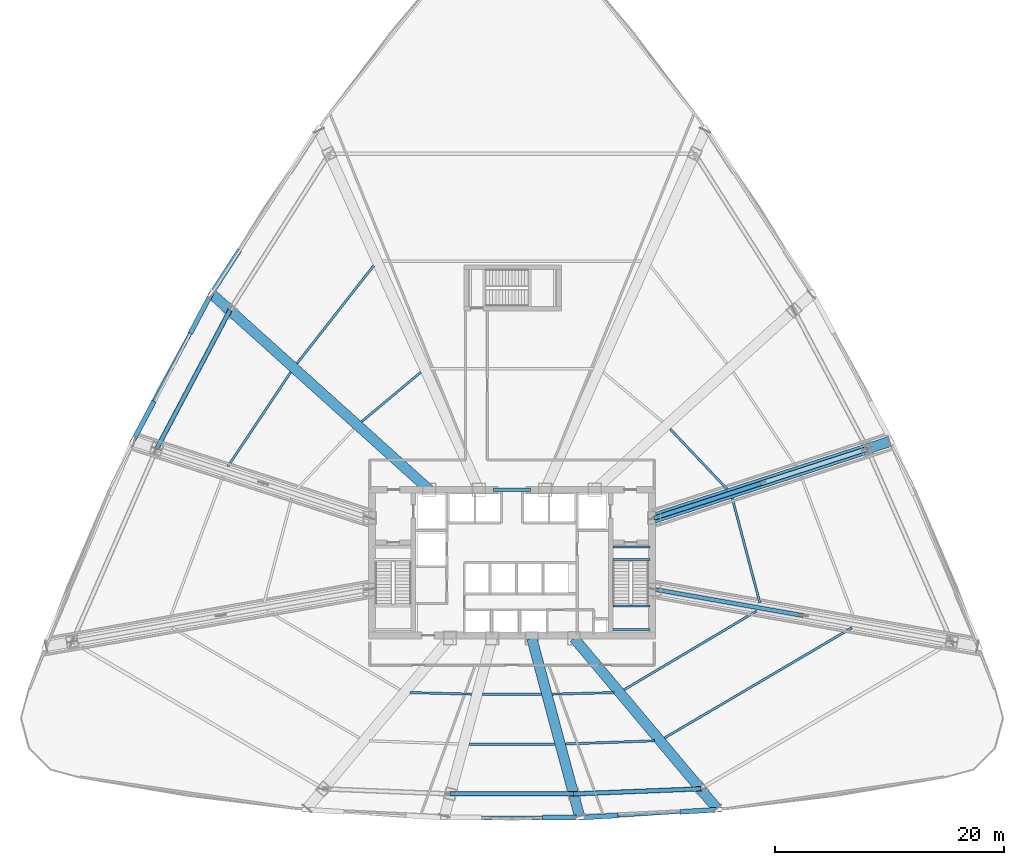
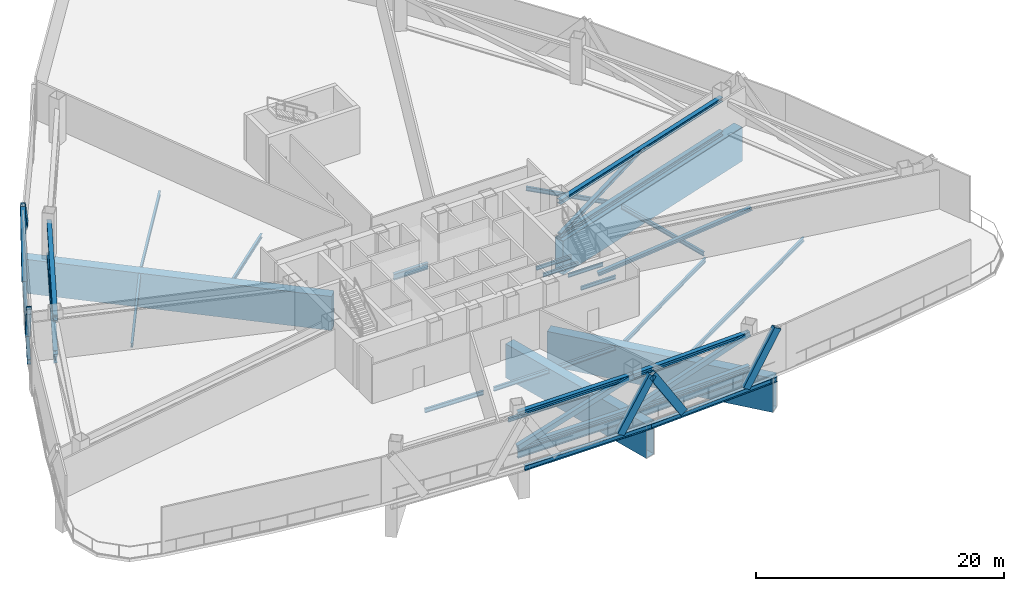
# One storey, part 2 of 17: 27 beams, 19 members.
"""IFC4 building model written with IfcOpenShell, lengths in metres."""

from ifc_helpers import new_model, si_unit, direction, frame, origin, origin_2d, place, context, subcontext, project, spatial, hollow_rectangle, i_section, extrude, source, transform, mapped, material, material_profile, profile_set, type_object, element, save


model = new_model("IFC4")

# Units and contexts
model_context = context("Model", 3, precision=1e-05, world=origin(), true_north=direction((0.0, 1.0)))
body_context = subcontext(model_context, "Body", "Model", "MODEL_VIEW")
ifc_project = project(units=[si_unit("LENGTHUNIT", "METRE"), si_unit("AREAUNIT", "SQUARE_METRE"), si_unit("VOLUMEUNIT", "CUBIC_METRE"), si_unit("PLANEANGLEUNIT", "RADIAN"), si_unit("MASSUNIT", "GRAM", prefix="KILO"), si_unit("THERMODYNAMICTEMPERATUREUNIT", "KELVIN"), si_unit("POWERUNIT", "WATT")], contexts=[model_context])

# Site, building, storey
site_placement = place(None, origin())
site = spatial("IfcSite", under=ifc_project, at=site_placement, CompositionType="ELEMENT")
building_placement = place(site_placement, origin())
building = spatial("IfcBuilding", under=site, at=building_placement, Name="Yunzhuo Pagoda Commons", CompositionType="ELEMENT")
storey_placement = place(building_placement, frame((0.0, 0.0, 76.3798828125)))
storey = spatial("IfcBuildingStorey", under=building, at=storey_placement, Name="L19", CompositionType="ELEMENT", Elevation=76.3798828125)

# Beams
ifc_material_1 = material(Name="Structural steel Q355B", Category="steel")
ifc_material_profile_1 = material_profile(ifc_material_1, i_section(OverallWidth=0.175048828125, OverallDepth=0.35009765625, WebThickness=0.007080078125, FlangeThickness=0.010986328125, at=origin_2d()), Name="Structural steel Q355B")
ifc_profile_set_1 = profile_set([ifc_material_profile_1], Name="Structural steel Q355B")
beam_type_1 = type_object("IfcBeamType", Name="B-JS2 Joist HN 350x175x7x11", PredefinedType="JOIST", material=ifc_profile_set_1)
shared_shape_1 = source(origin(), body_context, "Body", "SweptSolid", [
    extrude(i_section(OverallWidth=0.175048828125, OverallDepth=0.35009765625, WebThickness=0.007080078125, FlangeThickness=0.010986328125, at=origin_2d()), origin(), (0.0, 0.0, 1.0), 3.25),
])
for number, where, z_axis, x_axis, name in (
    (1, (56.800048828125, 28.0, 2.025146484375), (1.0, 0.0, 0.0), (0.0, 1.0, 0.0), "L19 ST2 landing support beam 25A"),
    (2, (56.800048828125, 30.06005859375, 2.025146484375), (1.0, 0.0, 0.0), (0.0, 1.0, 0.0), "L19 ST2 landing support beam 25B"),
    (3, (56.800048828125, 34.10009765625, -0.375), (1.0, 0.0, 0.0), (0.0, 1.0, 0.0), "L19 ST2 landing support beam 123A"),
    (4, (56.800048828125, 35.199951171875, -0.375), (1.0, 0.0, 0.0), (0.0, 1.0, 0.0), "L19 ST2 landing support beam 123B"),
):
    element("IfcBeam", number, at=place(storey_placement, frame(where, z_axis=z_axis, x_axis=x_axis)), inside=storey, type_object=beam_type_1, Name=name, PredefinedType="JOIST", context=body_context, shape_type="MappedRepresentation", body=[
        mapped(shared_shape_1, transform((0.0, 0.0, 0.0), scale=1.0)),
    ])
ifc_material_2 = material(Name="Structural steel Q420B", Category="steel")
ifc_material_profile_2 = material_profile(ifc_material_2, i_section(OverallWidth=0.300048828125, OverallDepth=0.587890625, WebThickness=0.011962890625, FlangeThickness=0.02001953125, at=origin_2d()), Name="Structural steel Q420B")
ifc_profile_set_2 = profile_set([ifc_material_profile_2], Name="Structural steel Q420B")
beam_type_2 = type_object("IfcBeamType", Name="B-CPL Beam HM 588x300x12x20", PredefinedType="BEAM", material=ifc_profile_set_2)
shared_shape_2 = source(origin(), body_context, "Body", "SweptSolid", [
    extrude(i_section(OverallWidth=0.300048828125, OverallDepth=0.587890625, WebThickness=0.011962890625, FlangeThickness=0.02001953125, at=origin_2d()), origin(), (0.0, 0.0, 1.0), 3.2001953125),
])
beam_1_placement = place(storey_placement, frame((46.39990234375, 40.199951171875, -0.573974609375), z_axis=(1.0, 0.0, 0.0), x_axis=(0.0, 1.0, 0.0)))
element("IfcBeam", 5, at=beam_1_placement, inside=storey, type_object=beam_type_2, Name="L19 core coupling girder", PredefinedType="BEAM", context=body_context, shape_type="MappedRepresentation", body=[
    mapped(shared_shape_2, transform((0.0, 0.0, 0.0), scale=1.0)),
])
ifc_material_profile_3 = material_profile(ifc_material_2, hollow_rectangle(XDim=0.89990234375, YDim=3.35009765625, WallThickness=0.048095703125, at=origin_2d()), Name="Structural steel Q420B")
ifc_profile_set_3 = profile_set([ifc_material_profile_3], Name="Structural steel Q420B")
beam_type_3 = type_object("IfcBeamType", Name="BTR-2 Beam BOX 3350x900x48", PredefinedType="BEAM", material=ifc_profile_set_3)
shared_shape_3 = source(origin(), body_context, "Body", "SweptSolid", [
    extrude(hollow_rectangle(XDim=0.89990234375, YDim=3.35009765625, WallThickness=0.048095703125, at=origin_2d()), origin(), (0.0, 0.0, 1.0), 19.369140625),
])
beam_2_placement = place(storey_placement, frame((65.862548828125, 12.41259765625, -1.954833984375), z_axis=(-0.642799141194, 0.766034766887, 0.0), x_axis=(-0.766034766887, -0.642799141194, 0.0)))
element("IfcBeam", 6, at=beam_2_placement, inside=storey, type_object=beam_type_3, Name="BTR-2 L19 collinear transfer girder F1C4", PredefinedType="BEAM", context=body_context, shape_type="MappedRepresentation", body=[
    mapped(shared_shape_3, transform((0.0, 0.0, 0.0), scale=1.0)),
])
shared_shape_4 = source(origin(), body_context, "Body", "SweptSolid", [
    extrude(hollow_rectangle(XDim=0.89990234375, YDim=3.35009765625, WallThickness=0.048095703125, at=origin_2d()), origin(), (0.0, 0.0, 1.0), 16.0458984375),
])
beam_3_placement = place(storey_placement, frame((53.88134765625, 11.750732421875, -1.954833984375), z_axis=(-0.258808334578, 0.965928696102, 0.0), x_axis=(-0.965928696102, -0.258808334578, 0.0)))
element("IfcBeam", 7, at=beam_3_placement, inside=storey, type_object=beam_type_3, Name="BTR-2 L19 collinear transfer girder F1C3", PredefinedType="BEAM", context=body_context, shape_type="MappedRepresentation", body=[
    mapped(shared_shape_4, transform((0.0, 0.0, 0.0), scale=1.0)),
])
shared_shape_5 = source(origin(), body_context, "Body", "SweptSolid", [
    extrude(hollow_rectangle(XDim=0.89990234375, YDim=3.35009765625, WallThickness=0.048095703125, at=origin_2d()), origin(), (0.0, 0.0, 1.0), 21.57373046875),
])
beam_4_placement = place(storey_placement, frame((80.917724609375, 44.3955078125, -1.954833984375), z_axis=(-0.951058432611, -0.309011096499, 0.0), x_axis=(0.309011096499, -0.951058432611, 0.0)))
element("IfcBeam", 8, at=beam_4_placement, inside=storey, type_object=beam_type_3, Name="BTR-2 L19 collinear transfer girder F2C2", PredefinedType="BEAM", context=body_context, shape_type="MappedRepresentation", body=[
    mapped(shared_shape_5, transform((0.0, 0.0, 0.0), scale=1.0)),
])
shared_shape_6 = source(origin(), body_context, "Body", "SweptSolid", [
    extrude(hollow_rectangle(XDim=0.89990234375, YDim=3.35009765625, WallThickness=0.048095703125, at=origin_2d()), origin(), (0.0, 0.0, 1.0), 25.4130859375),
])
beam_5_placement = place(storey_placement, frame((21.8955078125, 57.20458984375, -1.954833984375), z_axis=(0.743143654342, -0.669131907034, 0.0), x_axis=(0.669131907034, 0.743143654342, 0.0)))
element("IfcBeam", 9, at=beam_5_placement, inside=storey, type_object=beam_type_3, Name="BTR-2 L19 collinear transfer girder F3C2", PredefinedType="BEAM", context=body_context, shape_type="MappedRepresentation", body=[
    mapped(shared_shape_6, transform((0.0, 0.0, 0.0), scale=1.0)),
])
ifc_material_profile_4 = material_profile(ifc_material_1, i_section(OverallWidth=0.300048828125, OverallDepth=0.488037109375, WebThickness=0.010986328125, FlangeThickness=0.01806640625, at=origin_2d()), Name="Structural steel Q355B")
ifc_profile_set_4 = profile_set([ifc_material_profile_4], Name="Structural steel Q355B")
beam_type_4 = type_object("IfcBeamType", Name="B-SP1 Beam HM 488x300x11x18", PredefinedType="BEAM", material=ifc_profile_set_4)
shared_shape_7 = source(origin(), body_context, "Body", "SweptSolid", [
    extrude(i_section(OverallWidth=0.300048828125, OverallDepth=0.488037109375, WebThickness=0.010986328125, FlangeThickness=0.01806640625, at=origin_2d()), origin(), (0.0, 0.0, 1.0), 12.060791015625),
])
beam_6_placement = place(storey_placement, frame((53.92138671875, 11.60107421875, -0.52392578125), z_axis=(0.99834961986, 0.057428534065, 0.0), x_axis=(-0.057428534065, 0.99834961986, 0.0)))
element("IfcBeam", 10, at=beam_6_placement, inside=storey, type_object=beam_type_4, Name="L19 facade edge spandrel beam F1.3", PredefinedType="BEAM", context=body_context, shape_type="MappedRepresentation", body=[
    mapped(shared_shape_7, transform((0.0, 0.0, 0.0), scale=1.0)),
])
shared_shape_8 = source(origin(), body_context, "Body", "SweptSolid", [
    extrude(i_section(OverallWidth=0.300048828125, OverallDepth=0.488037109375, WebThickness=0.010986328125, FlangeThickness=0.01806640625, at=origin_2d()), origin(), (0.0, 0.0, 1.0), 11.8427734375),
])
beam_7_placement = place(storey_placement, frame((42.07861328125, 11.60107421875, -0.52392578125), z_axis=(1.0, 0.0, 0.0), x_axis=(0.0, 1.0, 0.0)))
element("IfcBeam", 11, at=beam_7_placement, inside=storey, type_object=beam_type_4, Name="L19 facade edge spandrel beam F1.2", PredefinedType="BEAM", context=body_context, shape_type="MappedRepresentation", body=[
    mapped(shared_shape_8, transform((0.0, 0.0, 0.0), scale=1.0)),
])
shared_shape_9 = source(origin(), body_context, "Body", "SweptSolid", [
    extrude(i_section(OverallWidth=0.300048828125, OverallDepth=0.488037109375, WebThickness=0.010986328125, FlangeThickness=0.01806640625, at=origin_2d()), origin(), (0.0, 0.0, 1.0), 14.572265625),
])
beam_8_placement = place(storey_placement, frame((21.7802734375, 57.308349609375, -0.52392578125), z_axis=(-0.46974105662, -0.882804247682, 0.0), x_axis=(0.882804247682, -0.46974105662, 0.0)))
element("IfcBeam", 12, at=beam_8_placement, inside=storey, type_object=beam_type_4, Name="L19 facade edge spandrel beam F3.2", PredefinedType="BEAM", context=body_context, shape_type="MappedRepresentation", body=[
    mapped(shared_shape_9, transform((0.0, 0.0, 0.0), scale=1.0)),
])
ifc_material_profile_5 = material_profile(ifc_material_1, i_section(OverallWidth=0.300048828125, OverallDepth=0.699951171875, WebThickness=0.012939453125, FlangeThickness=0.02392578125, at=origin_2d()), Name="Structural steel Q355B")
ifc_profile_set_5 = profile_set([ifc_material_profile_5], Name="Structural steel Q355B")
beam_type_5 = type_object("IfcBeamType", Name="B-RG1 Beam HN 700x300x13x24", PredefinedType="BEAM", material=ifc_profile_set_5)
shared_shape_10 = source(origin(), body_context, "Body", "SweptSolid", [
    extrude(i_section(OverallWidth=0.300048828125, OverallDepth=0.699951171875, WebThickness=0.012939453125, FlangeThickness=0.02392578125, at=origin_2d()), origin(), (0.0, 0.0, 1.0), 11.077392578125),
])
beam_9_placement = place(storey_placement, frame((53.367431640625, 13.66845703125, -0.6298828125), z_axis=(0.999196975427, 0.040067496776, 0.0), x_axis=(-0.040067496776, 0.999196975427, 0.0)))
element("IfcBeam", 13, at=beam_9_placement, inside=storey, type_object=beam_type_5, Name="L19 column-ring beam 3", PredefinedType="BEAM", context=body_context, shape_type="MappedRepresentation", body=[
    mapped(shared_shape_10, transform((0.0, 0.0, 0.0), scale=1.0)),
])
ifc_material_profile_6 = material_profile(ifc_material_1, i_section(OverallWidth=0.199951171875, OverallDepth=0.39990234375, WebThickness=0.008056640625, FlangeThickness=0.012939453125, at=origin_2d()), Name="Structural steel Q355B")
ifc_profile_set_6 = profile_set([ifc_material_profile_6], Name="Structural steel Q355B")
beam_type_6 = type_object("IfcBeamType", Name="B-JS1 Joist HN 400x200x8x13", PredefinedType="JOIST", material=ifc_profile_set_6)
shared_shape_11 = source(origin(), body_context, "Body", "SweptSolid", [
    extrude(i_section(OverallWidth=0.199951171875, OverallDepth=0.39990234375, WebThickness=0.008056640625, FlangeThickness=0.012939453125, at=origin_2d()), origin(), (0.0, 0.0, 1.0), 5.390625),
])
for number, where, z_axis, x_axis, name in (
    (14, (39.095947265625, 22.50830078125, -0.47998046875), (0.999682904373, -0.025181157742, 0.0), (0.025181157742, 0.999682904373, 0.0), "L19 composite ring joist 1.1"),
    (15, (51.51513671875, 22.37255859375, -0.47998046875), (0.999682904373, 0.025181157742, 0.0), (-0.025181157742, 0.999682904373, 0.0), "L19 composite ring joist 1.3"),
):
    element("IfcBeam", number, at=place(storey_placement, frame(where, z_axis=z_axis, x_axis=x_axis)), inside=storey, type_object=beam_type_6, Name=name, PredefinedType="JOIST", context=body_context, shape_type="MappedRepresentation", body=[
        mapped(shared_shape_11, transform((0.0, 0.0, 0.0), scale=1.0)),
    ])
shared_shape_12 = source(origin(), body_context, "Body", "SweptSolid", [
    extrude(i_section(OverallWidth=0.300048828125, OverallDepth=0.699951171875, WebThickness=0.012939453125, FlangeThickness=0.02392578125, at=origin_2d()), origin(), (0.0, 0.0, 1.0), 10.73486328125),
])
beam_10_placement = place(storey_placement, frame((42.632568359375, 13.66845703125, -0.6298828125), z_axis=(1.0, 0.0, 0.0), x_axis=(0.0, 1.0, 0.0)))
element("IfcBeam", 16, at=beam_10_placement, inside=storey, type_object=beam_type_5, Name="L19 column-ring beam 2", PredefinedType="BEAM", context=body_context, shape_type="MappedRepresentation", body=[
    mapped(shared_shape_12, transform((0.0, 0.0, 0.0), scale=1.0)),
])
shared_shape_13 = source(origin(), body_context, "Body", "SweptSolid", [
    extrude(i_section(OverallWidth=0.199951171875, OverallDepth=0.39990234375, WebThickness=0.008056640625, FlangeThickness=0.012939453125, at=origin_2d()), origin(), (0.0, 0.0, 1.0), 5.12255859375),
])
beam_11_placement = place(storey_placement, frame((45.438720703125, 22.360595703125, -0.47998046875), z_axis=(1.0, 0.0, 0.0), x_axis=(0.0, 1.0, 0.0)))
element("IfcBeam", 17, at=beam_11_placement, inside=storey, type_object=beam_type_6, Name="L19 composite ring joist 1.2", PredefinedType="JOIST", context=body_context, shape_type="MappedRepresentation", body=[
    mapped(shared_shape_13, transform((0.0, 0.0, 0.0), scale=1.0)),
])
shared_shape_14 = source(origin(), body_context, "Body", "SweptSolid", [
    extrude(i_section(OverallWidth=0.199951171875, OverallDepth=0.39990234375, WebThickness=0.008056640625, FlangeThickness=0.012939453125, at=origin_2d()), origin(), (0.0, 0.0, 1.0), 7.45166015625),
])
beam_12_placement = place(storey_placement, frame((44.274169921875, 18.014404296875, -0.47998046875), z_axis=(1.0, 0.0, 0.0), x_axis=(0.0, 1.0, 0.0)))
element("IfcBeam", 18, at=beam_12_placement, inside=storey, type_object=beam_type_6, Name="L19 composite ring joist 2.2", PredefinedType="JOIST", context=body_context, shape_type="MappedRepresentation", body=[
    mapped(shared_shape_14, transform((0.0, 0.0, 0.0), scale=1.0)),
])
shared_shape_15 = source(origin(), body_context, "Body", "SweptSolid", [
    extrude(i_section(OverallWidth=0.199951171875, OverallDepth=0.39990234375, WebThickness=0.008056640625, FlangeThickness=0.012939453125, at=origin_2d()), origin(), (0.0, 0.0, 1.0), 7.75634765625),
])
beam_13_placement = place(storey_placement, frame((52.679931640625, 18.031005859375, -0.47998046875), z_axis=(0.99939932662, 0.0346552442, 0.0), x_axis=(-0.0346552442, 0.99939932662, 0.0)))
element("IfcBeam", 19, at=beam_13_placement, inside=storey, type_object=beam_type_6, Name="L19 composite ring joist 2.3", PredefinedType="JOIST", context=body_context, shape_type="MappedRepresentation", body=[
    mapped(shared_shape_15, transform((0.0, 0.0, 0.0), scale=1.0)),
])
shared_shape_16 = source(origin(), body_context, "Body", "SweptSolid", [
    extrude(i_section(OverallWidth=0.199951171875, OverallDepth=0.39990234375, WebThickness=0.008056640625, FlangeThickness=0.012939453125, at=origin_2d()), origin(), (0.0, 0.0, 1.0), 13.426025390625),
])
beam_14_placement = place(storey_placement, frame((57.791015625, 22.76416015625, -0.47998046875), z_axis=(0.859680071929, 0.510832823856, 0.0), x_axis=(-0.510832823856, 0.859680071929, 0.0)))
element("IfcBeam", 20, at=beam_14_placement, inside=storey, type_object=beam_type_6, Name="L19 composite ring joist 1.4", PredefinedType="JOIST", context=body_context, shape_type="MappedRepresentation", body=[
    mapped(shared_shape_16, transform((0.0, 0.0, 0.0), scale=1.0)),
])
shared_shape_17 = source(origin(), body_context, "Body", "SweptSolid", [
    extrude(i_section(OverallWidth=0.199951171875, OverallDepth=0.39990234375, WebThickness=0.008056640625, FlangeThickness=0.012939453125, at=origin_2d()), origin(), (0.0, 0.0, 1.0), 18.932373046875),
])
beam_15_placement = place(storey_placement, frame((61.319580078125, 18.558349609375, -0.47998046875), z_axis=(0.861859286872, 0.507147483117, 0.0), x_axis=(-0.507147483117, 0.861859286872, 0.0)))
element("IfcBeam", 21, at=beam_15_placement, inside=storey, type_object=beam_type_6, Name="L19 composite ring joist 2.4", PredefinedType="JOIST", context=body_context, shape_type="MappedRepresentation", body=[
    mapped(shared_shape_17, transform((0.0, 0.0, 0.0), scale=1.0)),
])
shared_shape_18 = source(origin(), body_context, "Body", "SweptSolid", [
    extrude(i_section(OverallWidth=0.199951171875, OverallDepth=0.39990234375, WebThickness=0.008056640625, FlangeThickness=0.012939453125, at=origin_2d()), origin(), (0.0, 0.0, 1.0), 9.42724609375),
])
beam_16_placement = place(storey_placement, frame((69.62109375, 30.327392578125, -0.47998046875), z_axis=(-0.255268253642, 0.966870269831, 0.0), x_axis=(-0.966870269831, -0.255268253642, 0.0)))
element("IfcBeam", 22, at=beam_16_placement, inside=storey, type_object=beam_type_6, Name="L19 composite ring joist 1.5", PredefinedType="JOIST", context=body_context, shape_type="MappedRepresentation", body=[
    mapped(shared_shape_18, transform((0.0, 0.0, 0.0), scale=1.0)),
])
shared_shape_19 = source(origin(), body_context, "Body", "SweptSolid", [
    extrude(i_section(OverallWidth=0.300048828125, OverallDepth=0.699951171875, WebThickness=0.012939453125, FlangeThickness=0.02392578125, at=origin_2d()), origin(), (0.0, 0.0, 1.0), 13.66748046875),
])
beam_17_placement = place(storey_placement, frame((23.397216796875, 55.852294921875, -0.6298828125), z_axis=(-0.467383716456, -0.88405455804, 0.0), x_axis=(0.88405455804, -0.467383716456, 0.0)))
element("IfcBeam", 23, at=beam_17_placement, inside=storey, type_object=beam_type_5, Name="L19 column-ring beam 10", PredefinedType="BEAM", context=body_context, shape_type="MappedRepresentation", body=[
    mapped(shared_shape_19, transform((0.0, 0.0, 0.0), scale=1.0)),
])
shared_shape_20 = source(origin(), body_context, "Body", "SweptSolid", [
    extrude(i_section(OverallWidth=0.199951171875, OverallDepth=0.39990234375, WebThickness=0.008056640625, FlangeThickness=0.012939453125, at=origin_2d()), origin(), (0.0, 0.0, 1.0), 7.2138671875),
])
beam_18_placement = place(storey_placement, frame((66.7646484375, 40.25, -0.47998046875), z_axis=(-0.687500539282, 0.726183866859, 0.0), x_axis=(-0.726183866859, -0.687500539282, 0.0)))
element("IfcBeam", 24, at=beam_18_placement, inside=storey, type_object=beam_type_6, Name="L19 composite ring joist 1.6", PredefinedType="JOIST", context=body_context, shape_type="MappedRepresentation", body=[
    mapped(shared_shape_20, transform((0.0, 0.0, 0.0), scale=1.0)),
])
shared_shape_21 = source(origin(), body_context, "Body", "SweptSolid", [
    extrude(i_section(OverallWidth=0.199951171875, OverallDepth=0.39990234375, WebThickness=0.008056640625, FlangeThickness=0.012939453125, at=origin_2d()), origin(), (0.0, 0.0, 1.0), 9.86962890625),
])
beam_19_placement = place(storey_placement, frame((28.695556640625, 50.44677734375, -0.47998046875), z_axis=(-0.554494675597, -0.832187271433, 0.0), x_axis=(0.832187271433, -0.554494675597, 0.0)))
element("IfcBeam", 25, at=beam_19_placement, inside=storey, type_object=beam_type_6, Name="L19 composite ring joist 2.10", PredefinedType="JOIST", context=body_context, shape_type="MappedRepresentation", body=[
    mapped(shared_shape_21, transform((0.0, 0.0, 0.0), scale=1.0)),
])
shared_shape_22 = source(origin(), body_context, "Body", "SweptSolid", [
    extrude(i_section(OverallWidth=0.199951171875, OverallDepth=0.39990234375, WebThickness=0.008056640625, FlangeThickness=0.012939453125, at=origin_2d()), origin(), (0.0, 0.0, 1.0), 6.71435546875),
])
beam_20_placement = place(storey_placement, frame((40.042724609375, 50.444091796875, -0.47998046875), z_axis=(-0.767589051667, -0.640942312351, 0.0), x_axis=(0.640942312351, -0.767589051667, 0.0)))
element("IfcBeam", 26, at=beam_20_placement, inside=storey, type_object=beam_type_6, Name="L19 composite ring joist 1.9", PredefinedType="JOIST", context=body_context, shape_type="MappedRepresentation", body=[
    mapped(shared_shape_22, transform((0.0, 0.0, 0.0), scale=1.0)),
])
shared_shape_23 = source(origin(), body_context, "Body", "SweptSolid", [
    extrude(i_section(OverallWidth=0.199951171875, OverallDepth=0.39990234375, WebThickness=0.008056640625, FlangeThickness=0.012939453125, at=origin_2d()), origin(), (0.0, 0.0, 1.0), 10.839599609375),
])
beam_21_placement = place(storey_placement, frame((35.939453125, 59.751953125, -0.47998046875), z_axis=(-0.616699894001, -0.787198349045, 0.0), x_axis=(0.787198349045, -0.616699894001, 0.0)))
element("IfcBeam", 27, at=beam_21_placement, inside=storey, type_object=beam_type_6, Name="L19 composite ring joist 2.9", PredefinedType="JOIST", context=body_context, shape_type="MappedRepresentation", body=[
    mapped(shared_shape_23, transform((0.0, 0.0, 0.0), scale=1.0)),
])

# Members
ifc_material_profile_7 = material_profile(ifc_material_2, i_section(OverallWidth=0.35009765625, OverallDepth=0.35009765625, WebThickness=0.011962890625, FlangeThickness=0.01904296875, at=origin_2d()), Name="Structural steel Q420B")
ifc_profile_set_7 = profile_set([ifc_material_profile_7], Name="Structural steel Q420B")
member_type_1 = type_object("IfcMemberType", Name="M-OTB Brace HW 350x350x12x19", PredefinedType="BRACE", material=ifc_profile_set_7)
shared_shape_24 = source(origin(), body_context, "Body", "SweptSolid", [
    extrude(i_section(OverallWidth=0.35009765625, OverallDepth=0.35009765625, WebThickness=0.011962890625, FlangeThickness=0.01904296875, at=origin_2d()), origin(), (0.0, 0.0, 1.0), 13.588623046875),
])
member_1_placement = place(storey_placement, frame((60.39990234375, 31.513427734375, 0.070068359375), z_axis=(0.954959954741, -0.168364873116, 0.244345563375), x_axis=(0.173627841914, 0.984811338538, 0.0)))
element("IfcMember", 28, at=member_1_placement, inside=storey, type_object=member_type_1, Name="L19 outrigger diagonal brace F2C1A", PredefinedType="BRACE", context=body_context, shape_type="MappedRepresentation", body=[
    mapped(shared_shape_24, transform((0.0, 0.0, 0.0), scale=1.0)),
])
ifc_material_profile_8 = material_profile(ifc_material_2, i_section(OverallWidth=0.406982421875, OverallDepth=0.427978515625, WebThickness=0.02001953125, FlangeThickness=0.034912109375, at=origin_2d()), Name="Structural steel Q420B")
ifc_profile_set_8 = profile_set([ifc_material_profile_8], Name="Structural steel Q420B")
member_type_2 = type_object("IfcMemberType", Name="M-OTC Chord HW 428x407x20x35", PredefinedType="CHORD", material=ifc_profile_set_8)
shared_shape_25 = source(origin(), body_context, "Body", "SweptSolid", [
    extrude(i_section(OverallWidth=0.406982421875, OverallDepth=0.427978515625, WebThickness=0.02001953125, FlangeThickness=0.034912109375, at=origin_2d()), origin(), (0.0, 0.0, 1.0), 19.547607421875),
])
for number, where, z_axis, x_axis, name in (
    (29, (60.39990234375, 37.72900390625, 0.070068359375), (0.951056461342, 0.309017163504, 0.0), (-0.309017163504, 0.951056461342, 0.0), "L19 outrigger bottom chord F2C2"),
    (30, (60.39990234375, 37.72900390625, 3.390380859375), (0.951056461342, 0.309017163504, 0.0), (-0.309017163504, 0.951056461342, 0.0), "L19 outrigger top chord F2C2"),
):
    element("IfcMember", number, at=place(storey_placement, frame(where, z_axis=z_axis, x_axis=x_axis)), inside=storey, type_object=member_type_2, Name=name, PredefinedType="CHORD", context=body_context, shape_type="MappedRepresentation", body=[
        mapped(shared_shape_25, transform((0.0, 0.0, 0.0), scale=1.0)),
    ])
shared_shape_26 = source(origin(), body_context, "Body", "SweptSolid", [
    extrude(i_section(OverallWidth=0.35009765625, OverallDepth=0.35009765625, WebThickness=0.011962890625, FlangeThickness=0.01904296875, at=origin_2d()), origin(), (0.0, 0.0, 1.0), 10.322509765625),
])
member_2_placement = place(storey_placement, frame((60.39990234375, 37.72900390625, 0.070068359375), z_axis=(0.900516571803, 0.29258806329, 0.321655295509), x_axis=(-0.309009822475, 0.951058846557, 0.0)))
element("IfcMember", 31, at=member_2_placement, inside=storey, type_object=member_type_1, Name="L19 outrigger diagonal brace F2C2A", PredefinedType="BRACE", context=body_context, shape_type="MappedRepresentation", body=[
    mapped(shared_shape_26, transform((0.0, 0.0, 0.0), scale=1.0)),
])
ifc_material_profile_9 = material_profile(ifc_material_2, i_section(OverallWidth=0.39990234375, OverallDepth=0.39990234375, WebThickness=0.012939453125, FlangeThickness=0.02099609375, at=origin_2d()), Name="Structural steel Q420B")
ifc_profile_set_9 = profile_set([ifc_material_profile_9], Name="Structural steel Q420B")
member_type_3 = type_object("IfcMemberType", Name="M-BTC Chord HW 400x400x13x21", PredefinedType="CHORD", material=ifc_profile_set_9)
shared_shape_27 = source(origin(), body_context, "Body", "SweptSolid", [
    extrude(i_section(OverallWidth=0.39990234375, OverallDepth=0.39990234375, WebThickness=0.012939453125, FlangeThickness=0.02099609375, at=origin_2d()), origin(), (0.0, 0.0, 1.0), 11.077392578125),
])
for number, where, z_axis, x_axis, name in (
    (32, (53.367431640625, 13.66845703125, 0.070068359375), (0.999196975427, 0.040067496776, 0.0), (-0.040067496776, 0.999196975427, 0.0), "L19 belt truss bottom chord 3"),
    (33, (53.367431640625, 13.66845703125, 3.390380859375), (0.999196975427, 0.040067496776, 0.0), (-0.040067496776, 0.999196975427, 0.0), "L19 belt truss top chord 3"),
):
    element("IfcMember", number, at=place(storey_placement, frame(where, z_axis=z_axis, x_axis=x_axis)), inside=storey, type_object=member_type_3, Name=name, PredefinedType="CHORD", context=body_context, shape_type="MappedRepresentation", body=[
        mapped(shared_shape_27, transform((0.0, 0.0, 0.0), scale=1.0)),
    ])
ifc_material_profile_10 = material_profile(ifc_material_2, hollow_rectangle(XDim=0.39990234375, YDim=0.5, WallThickness=0.02392578125, at=origin_2d()), Name="Structural steel Q420B")
ifc_profile_set_10 = profile_set([ifc_material_profile_10], Name="Structural steel Q420B")
member_type_4 = type_object("IfcMemberType", Name="M-BTB Brace RHS 500x400x24", PredefinedType="BRACE", material=ifc_profile_set_10)
shared_shape_28 = source(origin(), body_context, "Body", "SweptSolid", [
    extrude(hollow_rectangle(XDim=0.39990234375, YDim=0.5, WallThickness=0.02392578125, at=origin_2d()), origin(), (0.0, 0.0, 1.0), 11.564453125),
])
member_3_placement = place(storey_placement, frame((53.367431640625, 13.66845703125, 0.070068359375), z_axis=(0.957126947338, 0.038380501362, 0.287114861676), x_axis=(-0.040067496776, 0.999196975427, 0.0)))
element("IfcMember", 34, at=member_3_placement, inside=storey, type_object=member_type_4, Name="L19 belt truss diagonal brace 3A", PredefinedType="BRACE", context=body_context, shape_type="MappedRepresentation", body=[
    mapped(shared_shape_28, transform((0.0, 0.0, 0.0), scale=1.0)),
])
shared_shape_29 = source(origin(), body_context, "Body", "SweptSolid", [
    extrude(i_section(OverallWidth=0.39990234375, OverallDepth=0.39990234375, WebThickness=0.012939453125, FlangeThickness=0.02099609375, at=origin_2d()), origin(), (0.0, 0.0, 1.0), 10.73486328125),
])
for number, where, z_axis, x_axis, name in (
    (35, (42.632568359375, 13.66845703125, 0.070068359375), (1.0, 0.0, 0.0), (0.0, 1.0, 0.0), "L19 belt truss bottom chord 2"),
    (36, (42.632568359375, 13.66845703125, 3.390380859375), (1.0, 0.0, 0.0), (0.0, 1.0, 0.0), "L19 belt truss top chord 2"),
):
    element("IfcMember", number, at=place(storey_placement, frame(where, z_axis=z_axis, x_axis=x_axis)), inside=storey, type_object=member_type_3, Name=name, PredefinedType="CHORD", context=body_context, shape_type="MappedRepresentation", body=[
        mapped(shared_shape_29, transform((0.0, 0.0, 0.0), scale=1.0)),
    ])
shared_shape_30 = source(origin(), body_context, "Body", "SweptSolid", [
    extrude(hollow_rectangle(XDim=0.39990234375, YDim=0.5, WallThickness=0.02392578125, at=origin_2d()), origin(), (0.0, 0.0, 1.0), 11.236572265625),
])
member_4_placement = place(storey_placement, frame((42.632568359375, 13.66845703125, 0.070068359375), z_axis=(0.955345781105, 0.0, 0.295490166546), x_axis=(0.0, 1.0, 0.0)))
element("IfcMember", 37, at=member_4_placement, inside=storey, type_object=member_type_4, Name="L19 belt truss diagonal brace 2A", PredefinedType="BRACE", context=body_context, shape_type="MappedRepresentation", body=[
    mapped(shared_shape_30, transform((0.0, 0.0, 0.0), scale=1.0)),
])
shared_shape_31 = source(origin(), body_context, "Body", "SweptSolid", [
    extrude(i_section(OverallWidth=0.39990234375, OverallDepth=0.39990234375, WebThickness=0.012939453125, FlangeThickness=0.02099609375, at=origin_2d()), origin(), (0.0, 0.0, 1.0), 13.66748046875),
])
for number, where, z_axis, x_axis, name in (
    (38, (23.397216796875, 55.852294921875, 0.070068359375), (-0.467383716456, -0.88405455804, 0.0), (0.88405455804, -0.467383716456, 0.0), "L19 belt truss bottom chord 10"),
    (39, (23.397216796875, 55.852294921875, 3.390380859375), (-0.467383716456, -0.88405455804, 0.0), (0.88405455804, -0.467383716456, 0.0), "L19 belt truss top chord 10"),
):
    element("IfcMember", number, at=place(storey_placement, frame(where, z_axis=z_axis, x_axis=x_axis)), inside=storey, type_object=member_type_3, Name=name, PredefinedType="CHORD", context=body_context, shape_type="MappedRepresentation", body=[
        mapped(shared_shape_31, transform((0.0, 0.0, 0.0), scale=1.0)),
    ])
shared_shape_32 = source(origin(), body_context, "Body", "SweptSolid", [
    extrude(hollow_rectangle(XDim=0.39990234375, YDim=0.5, WallThickness=0.02392578125, at=origin_2d()), origin(), (0.0, 0.0, 1.0), 14.06494140625),
])
member_5_placement = place(storey_placement, frame((23.397216796875, 55.852294921875, 0.070068359375), z_axis=(-0.454173650459, -0.859067767431, 0.236069621488), x_axis=(0.88405455804, -0.467383716456, 0.0)))
element("IfcMember", 40, at=member_5_placement, inside=storey, type_object=member_type_4, Name="L19 belt truss diagonal brace 10A", PredefinedType="BRACE", context=body_context, shape_type="MappedRepresentation", body=[
    mapped(shared_shape_32, transform((0.0, 0.0, 0.0), scale=1.0)),
])
ifc_material_profile_11 = material_profile(ifc_material_2, hollow_rectangle(XDim=0.419921875, YDim=0.719970703125, WallThickness=0.028076171875, at=origin_2d()), Name="Structural steel Q420B")
ifc_profile_set_11 = profile_set([ifc_material_profile_11], Name="Structural steel Q420B")
member_type_5 = type_object("IfcMemberType", Name="M-DL1 Brace BOX 720x420x28", PredefinedType="BRACE", material=ifc_profile_set_11)
shared_shape_33 = source(origin(), body_context, "Body", "SweptSolid", [
    extrude(hollow_rectangle(XDim=0.419921875, YDim=0.719970703125, WallThickness=0.028076171875, at=origin_2d()), origin(), (0.0, 0.0, 1.0), 5.685302734375),
])
for number, where, z_axis, x_axis, name in (
    (41, (56.931640625, 11.774169921875, -0.27978515625), (-0.529483005909, -0.030446346406, 0.847774006704), (0.057407197931, -0.99835084696, 0.0), "L19 facade diamond brace F1.3L"),
    (42, (62.951904296875, 12.120849609375, -0.27978515625), (0.529483697694, 0.030403443469, 0.847775114345), (-0.057326494961, 0.998355484272, 0.0), "L19 facade diamond brace F1.3R"),
):
    element("IfcMember", number, at=place(storey_placement, frame(where, z_axis=z_axis, x_axis=x_axis)), inside=storey, type_object=member_type_5, Name=name, PredefinedType="BRACE", context=body_context, shape_type="MappedRepresentation", body=[
        mapped(shared_shape_33, transform((0.0, 0.0, 0.0), scale=1.0)),
    ])
shared_shape_34 = source(origin(), body_context, "Body", "SweptSolid", [
    extrude(hollow_rectangle(XDim=0.419921875, YDim=0.719970703125, WallThickness=0.028076171875, at=origin_2d()), origin(), (0.0, 0.0, 1.0), 5.656494140625),
])
member_6_placement = place(storey_placement, frame((50.960693359375, 11.60107421875, -0.27978515625), z_axis=(0.523410943301, 0.0, 0.852080386133), x_axis=(0.0, 1.0, 0.0)))
element("IfcMember", 43, at=member_6_placement, inside=storey, type_object=member_type_5, Name="L19 facade diamond brace F1.2R", PredefinedType="BRACE", context=body_context, shape_type="MappedRepresentation", body=[
    mapped(shared_shape_34, transform((0.0, 0.0, 0.0), scale=1.0)),
])
shared_shape_35 = source(origin(), body_context, "Body", "SweptSolid", [
    extrude(hollow_rectangle(XDim=0.419921875, YDim=0.719970703125, WallThickness=0.028076171875, at=origin_2d()), origin(), (0.0, 0.0, 1.0), 6.04150390625),
])
member_7_placement = place(storey_placement, frame((16.64599609375, 47.65966796875, -0.27978515625), z_axis=(-0.28319827964, -0.532289917154, 0.797788304317), x_axis=(0.88282745087, -0.46969744729, 0.0)))
element("IfcMember", 44, at=member_7_placement, inside=storey, type_object=member_type_5, Name="L19 facade diamond brace F3.2R", PredefinedType="BRACE", context=body_context, shape_type="MappedRepresentation", body=[
    mapped(shared_shape_35, transform((0.0, 0.0, 0.0), scale=1.0)),
])
shared_shape_36 = source(origin(), body_context, "Body", "SweptSolid", [
    extrude(hollow_rectangle(XDim=0.419921875, YDim=0.719970703125, WallThickness=0.028076171875, at=origin_2d()), origin(), (0.0, 0.0, 1.0), 6.041748046875),
])
member_8_placement = place(storey_placement, frame((20.06884765625, 54.09228515625, -0.27978515625), z_axis=(0.283266523523, 0.532306692492, 0.797752882652), x_axis=(-0.88278665507, 0.469774117668, 0.0)))
element("IfcMember", 45, at=member_8_placement, inside=storey, type_object=member_type_5, Name="L19 facade diamond brace F3.2L", PredefinedType="BRACE", context=body_context, shape_type="MappedRepresentation", body=[
    mapped(shared_shape_36, transform((0.0, 0.0, 0.0), scale=1.0)),
])
shared_shape_37 = source(origin(), body_context, "Body", "SweptSolid", [
    extrude(hollow_rectangle(XDim=0.419921875, YDim=0.719970703125, WallThickness=0.028076171875, at=origin_2d()), origin(), (0.0, 0.0, 1.0), 6.4453125),
])
member_9_placement = place(storey_placement, frame((24.109130859375, 60.898193359375, -0.27978515625), z_axis=(-0.361329204933, -0.556975010938, 0.747810164984), x_axis=(0.838928196846, -0.544242115732, 0.0)))
element("IfcMember", 46, at=member_9_placement, inside=storey, type_object=member_type_5, Name="L19 facade diamond brace F3.1R", PredefinedType="BRACE", context=body_context, shape_type="MappedRepresentation", body=[
    mapped(shared_shape_37, transform((0.0, 0.0, 0.0), scale=1.0)),
])

save(model, "model.ifc")
